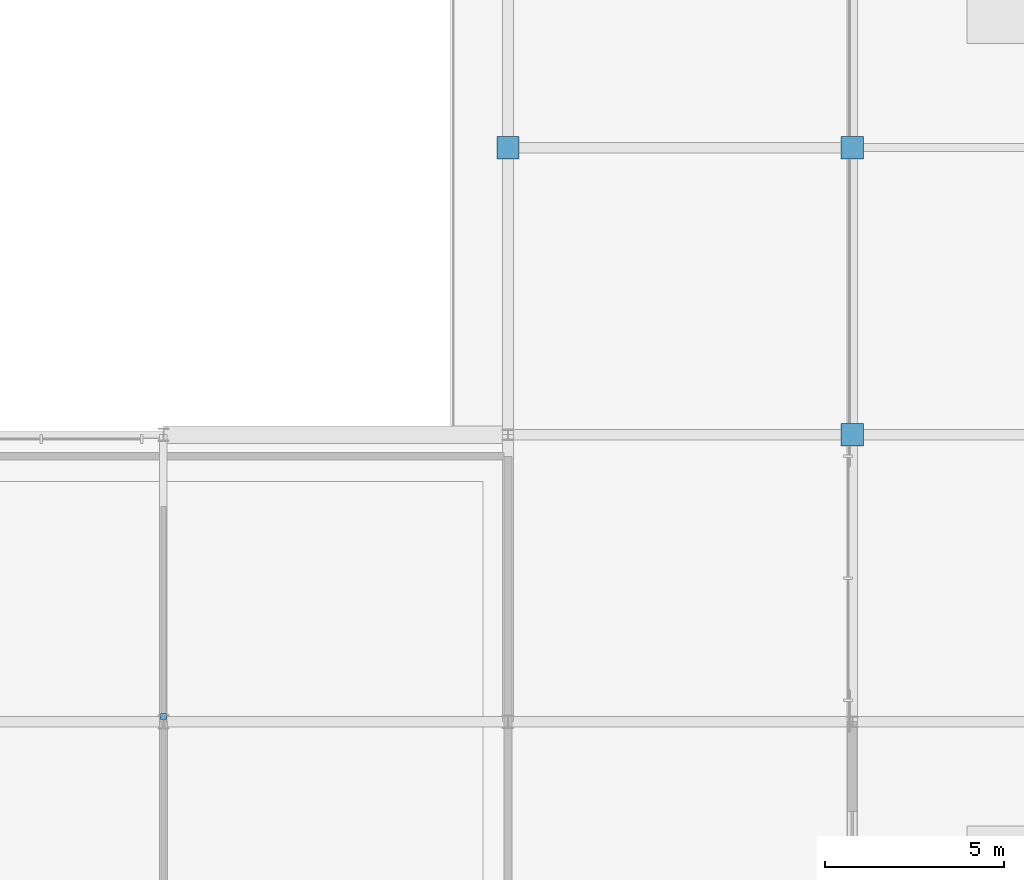
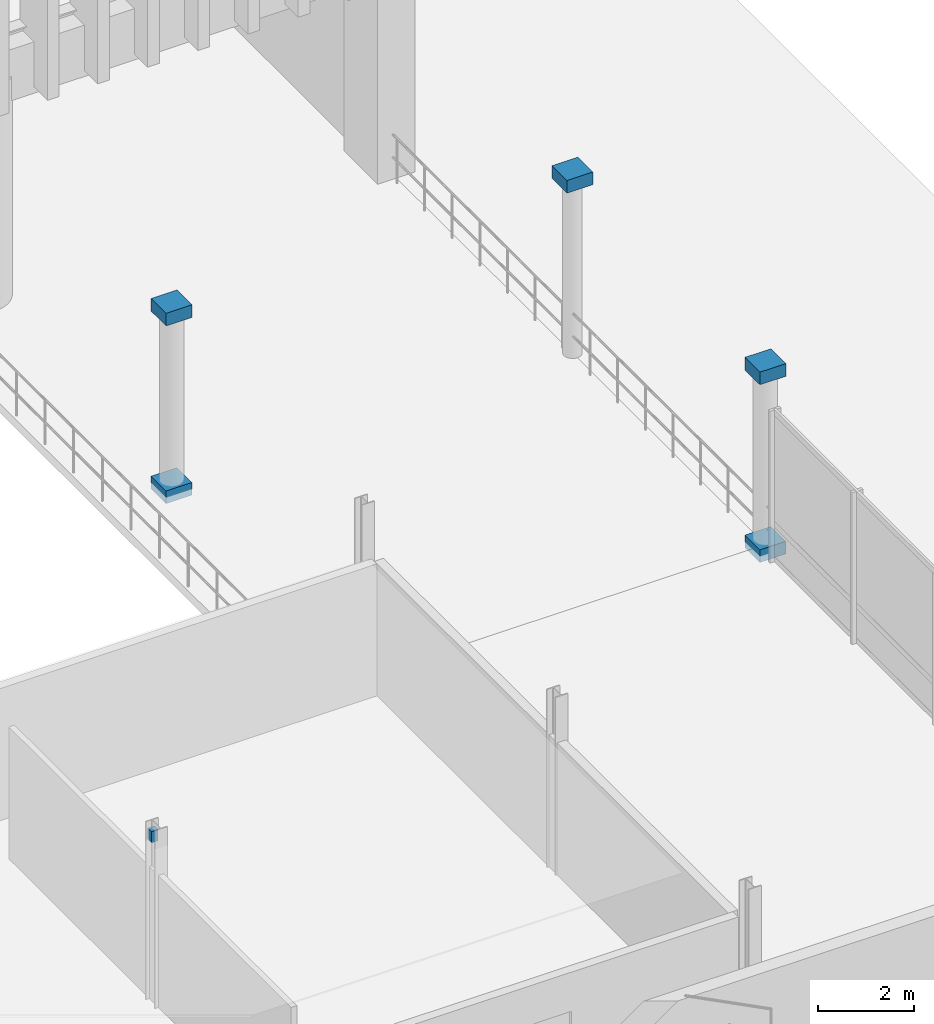
# One storey, part 167 of 193: 6 discrete accessories.
"""IFC4 building model written with IfcOpenShell, lengths in metres."""

from ifc_helpers import new_model, si_unit, direction, frame, origin, origin_2d, place, context, subcontext, project, spatial, rectangle, extrude, material, type_object, element, save


model = new_model("IFC4")

# Units and contexts
model_context = context("Model", 3, precision=1e-05, world=origin(), true_north=direction((0.0, 1.0)))
body_context = subcontext(model_context, "Body", "Model", "MODEL_VIEW")
ifc_project = project(units=[si_unit("LENGTHUNIT", "METRE"), si_unit("AREAUNIT", "SQUARE_METRE"), si_unit("VOLUMEUNIT", "CUBIC_METRE"), si_unit("PLANEANGLEUNIT", "RADIAN"), si_unit("MASSUNIT", "GRAM", prefix="KILO")], contexts=[model_context])

# Site, building, storey
site_placement = place(None, origin())
site = spatial("IfcSite", under=ifc_project, at=site_placement, CompositionType="ELEMENT")
building_placement = place(site_placement, origin())
building = spatial("IfcBuilding", under=site, at=building_placement, Name="Danafjord Basin Convention Centre", CompositionType="ELEMENT")
storey_placement = place(building_placement, frame((0.0, 0.0, 11.39990234375)))
storey = spatial("IfcBuildingStorey", under=building, at=storey_placement, Name="L02", CompositionType="ELEMENT", Elevation=11.39990234375)

# Discrete accessories
ifc_material_1 = material(Name="Stainless steel EN 1.4404", Category="steel")
discrete_accessory_type_1 = type_object("IfcDiscreteAccessoryType", Name="ACC-FIN-BRK", PredefinedType="BRACKET", material=ifc_material_1)
discrete_accessory_placement = place(storey_placement, frame((96.0, 32.14501953125, 4.01025390625), z_axis=(0.0, 0.0, 1.0), x_axis=(1.0, 0.0, 0.0)))
element("IfcDiscreteAccessory", 1, at=discrete_accessory_placement, inside=storey, type_object=discrete_accessory_type_1, Name="Suspended ceiling steel hanger assembly", PredefinedType="BRACKET", context=body_context, shape_type="SweptSolid", body=[
    extrude(rectangle(XDim=0.159912109375, YDim=0.159912109375, at=origin_2d()), origin(), (0.0, 0.0, 1.0), 0.280029296875),
])
ifc_material_2 = material(Name="Steel S355", Category="steel")
discrete_accessory_type_2 = type_object("IfcDiscreteAccessoryType", Name="ACC-SF-HUB", PredefinedType="BRACKET", material=ifc_material_2)
for number, where, z_axis, x_axis, name in (
    (2, (105.60009765625, 48.0, -0.16015625), (0.0, 0.0, 1.0), (1.0, 0.0, 0.0), "Tubular steel column transition collar"),
    (3, (105.60009765625, 48.0, 4.33984375), (0.0, 0.0, 1.0), (1.0, 0.0, 0.0), "Tubular steel column top cap plate"),
    (4, (115.199951171875, 40.0, -0.16015625), (0.0, 0.0, 1.0), (1.0, 0.0, 0.0), "Tubular steel column transition collar"),
    (5, (115.199951171875, 40.0, 4.33984375), (0.0, 0.0, 1.0), (1.0, 0.0, 0.0), "Tubular steel column top cap plate"),
    (6, (115.199951171875, 48.0, 4.33984375), (0.0, 0.0, 1.0), (1.0, 0.0, 0.0), "Tubular steel column top cap plate"),
):
    element("IfcDiscreteAccessory", number, at=place(storey_placement, frame(where, z_axis=z_axis, x_axis=x_axis)), inside=storey, type_object=discrete_accessory_type_2, Name=name, PredefinedType="BRACKET", context=body_context, shape_type="SweptSolid", body=[
        extrude(rectangle(XDim=0.6201171875, YDim=0.6201171875, at=origin_2d()), origin(), (0.0, 0.0, 1.0), 0.320068359375),
    ])

save(model, "model.ifc")
